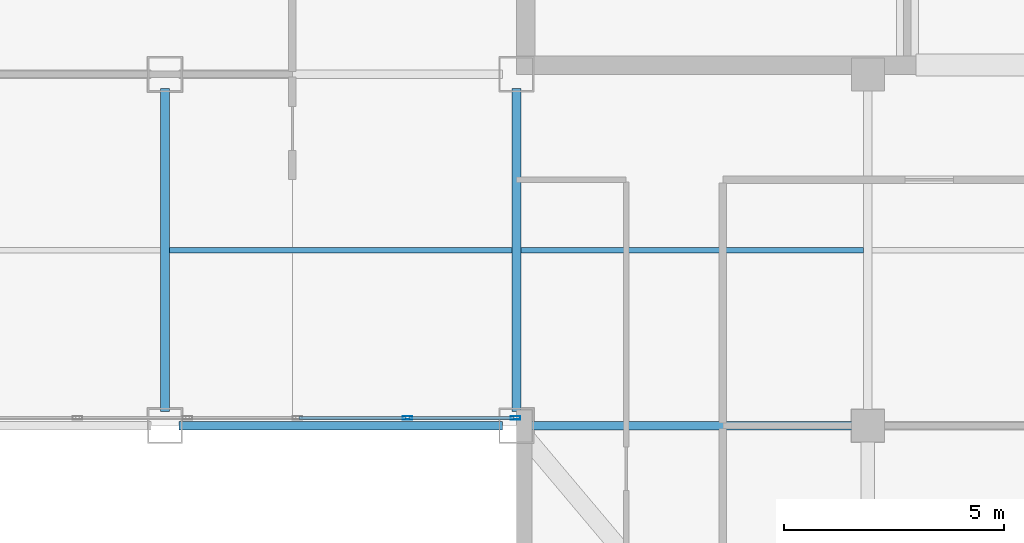
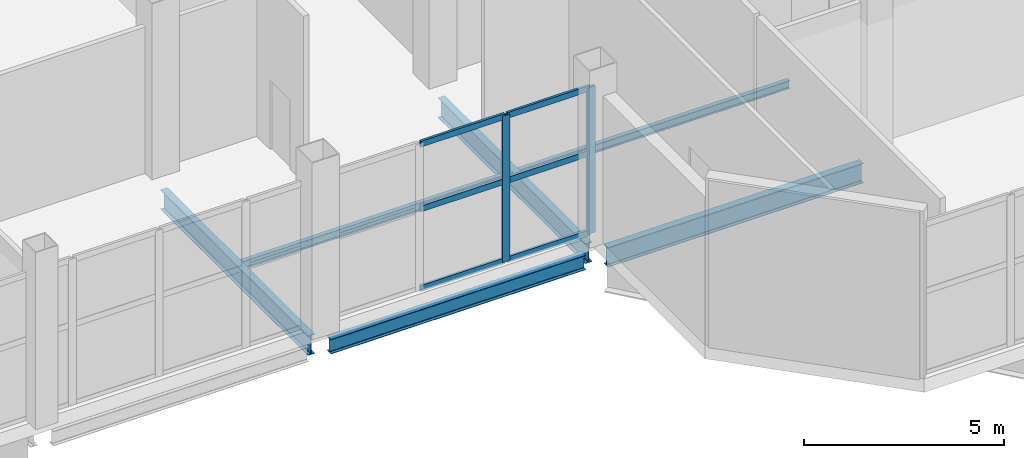
# One storey, part 4 of 17: 8 members, 6 beams, 1 element without a shape of its own.
"""IFC4 building model written with IfcOpenShell, lengths in metres."""

from ifc_helpers import new_model, si_unit, direction, frame, origin, origin_2d, place, context, subcontext, project, spatial, hollow_rectangle, i_section, extrude, material, layer, layer_set, material_profile, profile_set, type_object, element, aggregate, save


model = new_model("IFC4")

# Units and contexts
model_context = context("Model", 3, precision=1e-05, world=origin(), true_north=direction((0.0, 1.0)))
body_context = subcontext(model_context, "Body", "Model", "MODEL_VIEW")
ifc_project = project(units=[si_unit("LENGTHUNIT", "METRE"), si_unit("AREAUNIT", "SQUARE_METRE"), si_unit("VOLUMEUNIT", "CUBIC_METRE"), si_unit("PLANEANGLEUNIT", "RADIAN"), si_unit("MASSUNIT", "GRAM", prefix="KILO")], contexts=[model_context])

# Site, building, storey
site_placement = place(None, origin())
site = spatial("IfcSite", under=ifc_project, at=site_placement, CompositionType="ELEMENT")
building_placement = place(site_placement, origin())
building = spatial("IfcBuilding", under=site, at=building_placement, Name="Qianrong Seaharbour Tower", CompositionType="ELEMENT")
storey_placement = place(building_placement, frame((0.0, 0.0, 373.0)))
storey = spatial("IfcBuildingStorey", under=building, at=storey_placement, Name="L90", CompositionType="ELEMENT", Elevation=373.0)

# Beams
ifc_material_1 = material(Name="Structural steel SN490B", Category="steel")
ifc_material_profile_1 = material_profile(ifc_material_1, i_section(OverallWidth=0.199951171875, OverallDepth=0.60009765625, WebThickness=0.010986328125, FlangeThickness=0.01708984375, FilletRadius=0.02197265625, at=origin_2d()), Name="H600x200x11x17")
ifc_profile_set_1 = profile_set([ifc_material_profile_1], Name="Structural steel SN490B")
beam_type_1 = type_object("IfcBeamType", Name="BM-G-600", PredefinedType="BEAM", material=ifc_profile_set_1)
for number, where, z_axis, x_axis, name in (
    (1, (40.820068359375, 28.0, -0.7099609375), (1.0, 0.0, 0.0), (0.0, 1.0, 0.0), "L90 Primary Girder GE G6-G7"),
    (2, (32.5, 28.320068359375, -0.7099609375), (0.0, 1.0, 0.0), (-1.0, 0.0, 0.0), "L90 Primary Girder G5 GE-GF"),
    (3, (40.5, 28.320068359375, -0.7099609375), (0.0, 1.0, 0.0), (-1.0, 0.0, 0.0), "L90 Primary Girder G6 GE-GF"),
):
    element("IfcBeam", number, at=place(storey_placement, frame(where, z_axis=z_axis, x_axis=x_axis)), inside=storey, type_object=beam_type_1, Name=name, PredefinedType="BEAM", context=body_context, shape_type="SweptSolid", body=[
        extrude(i_section(OverallWidth=0.199951171875, OverallDepth=0.60009765625, WebThickness=0.010986328125, FlangeThickness=0.01708984375, FilletRadius=0.02197265625, at=origin_2d()), origin(), (0.0, 0.0, 1.0), 7.35986328125),
    ])
ifc_material_2 = material(Name="Structural steel SN400B", Category="steel")
ifc_material_profile_2 = material_profile(ifc_material_2, i_section(OverallWidth=0.125, OverallDepth=0.25, WebThickness=0.006103515625, FlangeThickness=0.009033203125, FilletRadius=0.011962890625, at=origin_2d()), Name="H250x125x6x9")
ifc_profile_set_2 = profile_set([ifc_material_profile_2], Name="Structural steel SN400B")
beam_type_2 = type_object("IfcBeamType", Name="BM-J-250", PredefinedType="JOIST", material=ifc_profile_set_2)
for number, where, z_axis, x_axis, name in (
    (4, (32.60009765625, 32.0, -0.534912109375), (1.0, 0.0, 0.0), (0.0, 1.0, 0.0), "L90 Composite Floor Joist G5-G6/GE-GF"),
    (5, (40.60009765625, 32.0, -0.534912109375), (1.0, 0.0, 0.0), (0.0, 1.0, 0.0), "L90 Composite Floor Joist G6-G7/GE-GF"),
):
    element("IfcBeam", number, at=place(storey_placement, frame(where, z_axis=z_axis, x_axis=x_axis)), inside=storey, type_object=beam_type_2, Name=name, PredefinedType="JOIST", context=body_context, shape_type="SweptSolid", body=[
        extrude(i_section(OverallWidth=0.125, OverallDepth=0.25, WebThickness=0.006103515625, FlangeThickness=0.009033203125, FilletRadius=0.011962890625, at=origin_2d()), origin(), (0.0, 0.0, 1.0), 7.7998046875),
    ])
ifc_material_profile_3 = material_profile(ifc_material_2, i_section(OverallWidth=0.199951171875, OverallDepth=0.449951171875, WebThickness=0.009033203125, FlangeThickness=0.013916015625, FilletRadius=0.01806640625, at=origin_2d()), Name="H450x200x9x14")
ifc_profile_set_3 = profile_set([ifc_material_profile_3], Name="Structural steel SN400B")
beam_type_3 = type_object("IfcBeamType", Name="BM-SP-450", PredefinedType="SPANDREL", material=ifc_profile_set_3)
beam_placement = place(storey_placement, frame((32.820068359375, 28.0, -0.635009765625), z_axis=(1.0, 0.0, 0.0), x_axis=(0.0, 1.0, 0.0)))
element("IfcBeam", 6, at=beam_placement, inside=storey, type_object=beam_type_3, Name="L90 Spandrel Girder GE G5-G6", PredefinedType="SPANDREL", context=body_context, shape_type="SweptSolid", body=[
    extrude(i_section(OverallWidth=0.199951171875, OverallDepth=0.449951171875, WebThickness=0.009033203125, FlangeThickness=0.013916015625, FilletRadius=0.01806640625, at=origin_2d()), origin(), (0.0, 0.0, 1.0), 7.35986328125),
])

# Curtain wall, members
ifc_material_3 = material(Name="Anodised aluminium 6063-T6 and laminated low-e glass", Category="aluminium")
ifc_layer = layer(ifc_material_3, 0.239990234375)
ifc_layer_set = layer_set([ifc_layer], Name="Anodised aluminium 6063-T6 and laminated low-e glass")
curtain_wall_type = type_object("IfcCurtainWallType", Name="CW-SYS-6", PredefinedType="NOTDEFINED", material=ifc_layer_set)
curtain_wall_placement = place(storey_placement, origin())
curtain_wall = element("IfcCurtainWall", 7, at=curtain_wall_placement, inside=storey, type_object=curtain_wall_type, Name="L90 TMD Exhibition Lantern Translucent Curtain Wall HARBOUR_RIBBON", PredefinedType="NOTDEFINED")
ifc_material_4 = material(Name="Extruded aluminium 6063-T6", Category="aluminium")
ifc_material_profile_4 = material_profile(ifc_material_4, hollow_rectangle(XDim=0.080078125, YDim=0.219970703125, WallThickness=0.0048828125, at=origin_2d()), Name="ALU-MUL-220x80x5")
ifc_profile_set_4 = profile_set([ifc_material_profile_4], Name="Extruded aluminium 6063-T6")
member_type_1 = type_object("IfcMemberType", Name="CW-MUL-220", PredefinedType="MULLION", material=ifc_profile_set_4)
member_1_placement = place(storey_placement, frame((40.47998046875, 28.179931640625, 0.0), z_axis=(0.0, 0.0, 1.0), x_axis=(0.0, -1.0, 0.0)))
member_1 = element("IfcMember", 8, at=member_1_placement, type_object=member_type_1, Name="CW-6 mullion 1", PredefinedType="MULLION", context=body_context, shape_type="SweptSolid", body=[
    extrude(hollow_rectangle(XDim=0.080078125, YDim=0.219970703125, WallThickness=0.0048828125, at=origin_2d()), origin(), (0.0, 0.0, 1.0), 4.469970703125),
])
member_2_placement = place(storey_placement, frame((38.017578125, 28.179931640625, 0.0), z_axis=(0.0, 0.0, 1.0), x_axis=(0.0, -1.0, 0.0)))
member_2 = element("IfcMember", 9, at=member_2_placement, type_object=member_type_1, Name="CW-6 mullion 2", PredefinedType="MULLION", context=body_context, shape_type="SweptSolid", body=[
    extrude(hollow_rectangle(XDim=0.080078125, YDim=0.219970703125, WallThickness=0.0048828125, at=origin_2d()), origin(), (0.0, 0.0, 1.0), 4.469970703125),
])
ifc_material_profile_5 = material_profile(ifc_material_4, hollow_rectangle(XDim=0.070068359375, YDim=0.179931640625, WallThickness=0.00390625, at=origin_2d()), Name="ALU-TRN-180x70x4")
ifc_profile_set_5 = profile_set([ifc_material_profile_5], Name="Extruded aluminium 6063-T6")
member_type_2 = type_object("IfcMemberType", Name="CW-TRN-180", PredefinedType="USERDEFINED", material=ifc_profile_set_5)
member_3_placement = place(storey_placement, frame((40.43994140625, 28.179931640625, 0.034912109375), z_axis=(-1.0, 0.0, 0.0), x_axis=(0.0, -1.0, 0.0)))
member_3 = element("IfcMember", 10, at=member_3_placement, type_object=member_type_2, Name="CW-6 transom 1.1", ObjectType="TRANSOM", PredefinedType="USERDEFINED", context=body_context, shape_type="SweptSolid", body=[
    extrude(hollow_rectangle(XDim=0.070068359375, YDim=0.179931640625, WallThickness=0.00390625, at=origin_2d()), origin(), (0.0, 0.0, 1.0), 2.38232421875),
])
member_4_placement = place(storey_placement, frame((40.43994140625, 28.179931640625, 2.45849609375), z_axis=(-1.0, 0.0, 0.0), x_axis=(0.0, -1.0, 0.0)))
member_4 = element("IfcMember", 11, at=member_4_placement, type_object=member_type_2, Name="CW-6 transom 1.2", ObjectType="TRANSOM", PredefinedType="USERDEFINED", context=body_context, shape_type="SweptSolid", body=[
    extrude(hollow_rectangle(XDim=0.070068359375, YDim=0.179931640625, WallThickness=0.00390625, at=origin_2d()), origin(), (0.0, 0.0, 1.0), 2.38232421875),
])
member_5_placement = place(storey_placement, frame((40.43994140625, 28.179931640625, 4.43505859375), z_axis=(-1.0, 0.0, 0.0), x_axis=(0.0, -1.0, 0.0)))
member_5 = element("IfcMember", 12, at=member_5_placement, type_object=member_type_2, Name="CW-6 transom 1.3", ObjectType="TRANSOM", PredefinedType="USERDEFINED", context=body_context, shape_type="SweptSolid", body=[
    extrude(hollow_rectangle(XDim=0.070068359375, YDim=0.179931640625, WallThickness=0.00390625, at=origin_2d()), origin(), (0.0, 0.0, 1.0), 2.38232421875),
])
member_6_placement = place(storey_placement, frame((37.9775390625, 28.179931640625, 0.034912109375), z_axis=(-1.0, 0.0, 0.0), x_axis=(0.0, -1.0, 0.0)))
member_6 = element("IfcMember", 13, at=member_6_placement, type_object=member_type_2, Name="CW-6 transom 2.1", ObjectType="TRANSOM", PredefinedType="USERDEFINED", context=body_context, shape_type="SweptSolid", body=[
    extrude(hollow_rectangle(XDim=0.070068359375, YDim=0.179931640625, WallThickness=0.00390625, at=origin_2d()), origin(), (0.0, 0.0, 1.0), 2.422607421875),
])
member_7_placement = place(storey_placement, frame((37.9775390625, 28.179931640625, 2.45849609375), z_axis=(-1.0, 0.0, 0.0), x_axis=(0.0, -1.0, 0.0)))
member_7 = element("IfcMember", 14, at=member_7_placement, type_object=member_type_2, Name="CW-6 transom 2.2", ObjectType="TRANSOM", PredefinedType="USERDEFINED", context=body_context, shape_type="SweptSolid", body=[
    extrude(hollow_rectangle(XDim=0.070068359375, YDim=0.179931640625, WallThickness=0.00390625, at=origin_2d()), origin(), (0.0, 0.0, 1.0), 2.422607421875),
])
member_8_placement = place(storey_placement, frame((37.9775390625, 28.179931640625, 4.43505859375), z_axis=(-1.0, 0.0, 0.0), x_axis=(0.0, -1.0, 0.0)))
member_8 = element("IfcMember", 15, at=member_8_placement, type_object=member_type_2, Name="CW-6 transom 2.3", ObjectType="TRANSOM", PredefinedType="USERDEFINED", context=body_context, shape_type="SweptSolid", body=[
    extrude(hollow_rectangle(XDim=0.070068359375, YDim=0.179931640625, WallThickness=0.00390625, at=origin_2d()), origin(), (0.0, 0.0, 1.0), 2.422607421875),
])
aggregate(curtain_wall, [member_1, member_2, member_3, member_4, member_5, member_6, member_7, member_8])

save(model, "model.ifc")
